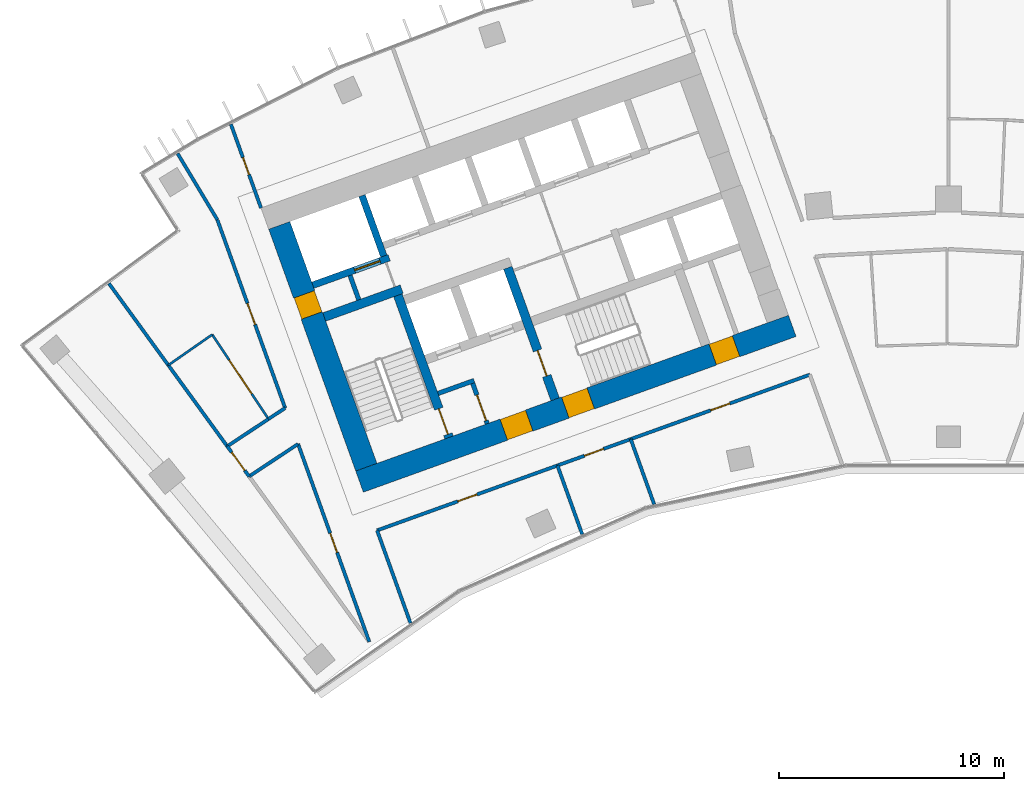
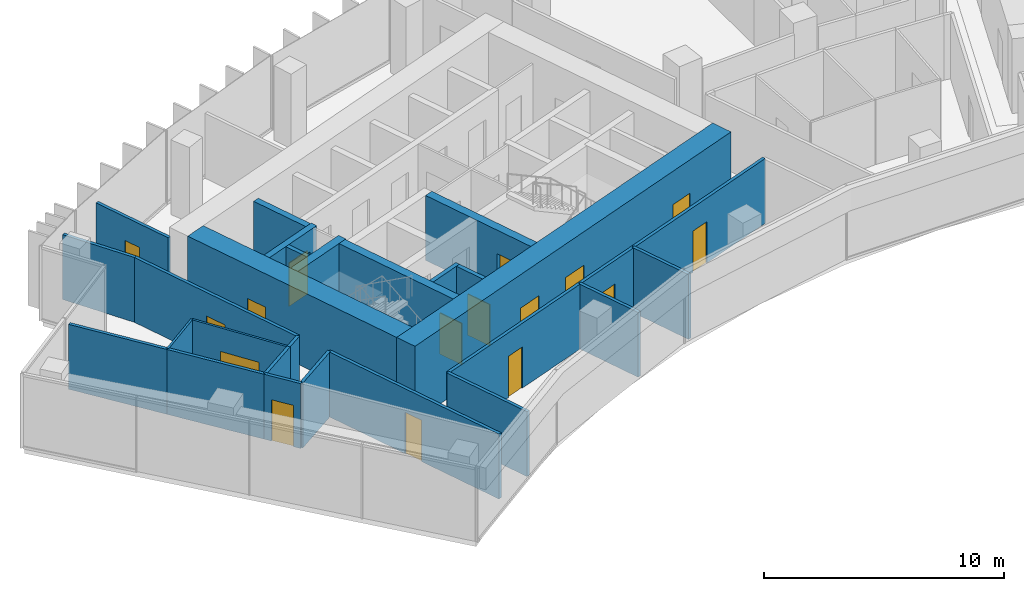
# One storey, part 12 of 19: 28 walls, 16 doors, 16 openings.
"""IFC4 building model written with IfcOpenShell, lengths in metres."""

from ifc_helpers import new_model, si_unit, direction, frame, frame_2d, origin, place, context, subcontext, project, spatial, rectangle, extrude, material, layer, layer_set, type_object, element, fill, save


model = new_model("IFC4")

# Units and contexts
model_context = context("Model", 3, precision=1e-05, world=origin(), true_north=direction((0.0, 1.0)))
body_context = subcontext(model_context, "Body", "Model", "MODEL_VIEW")
ifc_project = project(units=[si_unit("LENGTHUNIT", "METRE"), si_unit("AREAUNIT", "SQUARE_METRE"), si_unit("VOLUMEUNIT", "CUBIC_METRE"), si_unit("PLANEANGLEUNIT", "RADIAN"), si_unit("MASSUNIT", "GRAM", prefix="KILO")], contexts=[model_context])

# Site, building, storey
site_placement = place(None, origin())
site = spatial("IfcSite", under=ifc_project, at=site_placement, CompositionType="ELEMENT")
building_placement = place(site_placement, origin())
building = spatial("IfcBuilding", under=site, at=building_placement, Name="Stone Belt Terrace Tower", CompositionType="ELEMENT")
storey_placement = place(building_placement, frame((0.0, 0.0, 246.60009765625)))
storey = spatial("IfcBuildingStorey", under=building, at=storey_placement, Name="L60", CompositionType="ELEMENT", Elevation=246.60009765625)

# Wall, openings, doors
ifc_material_1 = material(Name="Concrete B60", Category="concrete")
ifc_layer_1 = layer(ifc_material_1, 1.0)
ifc_layer_set_1 = layer_set([ifc_layer_1], Name="Core wall 1000 B60")
wall_type_1 = type_object("IfcWallType", Name="Core wall 1000 B60", PredefinedType="SHEAR", material=ifc_layer_set_1)
wall_1_placement = place(storey_placement, frame((-26.122314453125, 42.462890625, 0.0), z_axis=(0.0, 0.0, 1.0), x_axis=(0.940921428504, 0.338624962727, 0.0)))
wall_1 = element("IfcWall", 1, at=wall_1_placement, inside=storey, type_object=wall_type_1, Name="Core A wall concave L60", PredefinedType="SHEAR", context=body_context, shape_type="SweptSolid", body=[
    extrude(rectangle(XDim=20.400146484375, YDim=1.0, at=frame_2d((10.2001953125, 0.0))), origin(), (0.0, 0.0, 1.0), 3.7998046875),
])
opening_1_placement = place(wall_1_placement, frame((6.800048828125, 0.0, 0.0)))
opening_1 = element("IfcOpeningElement", 2, at=opening_1_placement, cuts=wall_1, Name="Opening L60-C10", PredefinedType="OPENING", context=body_context, shape_type="SweptSolid", body=[
    extrude(rectangle(XDim=1.199951171875, YDim=2.10009765625, at=frame_2d((0.60009765625, 1.050048828125))), frame((0.0, 0.510009765625, 0.0), z_axis=(0.0, -1.0, 0.0), x_axis=(1.0, 0.0, 0.0)), (0.0, 0.0, 1.0), 1.02001953125),
])
opening_2_placement = place(wall_1_placement, frame((9.699951171875, 0.0, 0.0)))
opening_2 = element("IfcOpeningElement", 3, at=opening_2_placement, cuts=wall_1, Name="Opening L60-C12", PredefinedType="OPENING", context=body_context, shape_type="SweptSolid", body=[
    extrude(rectangle(XDim=1.199951171875, YDim=2.10009765625, at=frame_2d((0.60009765625, 1.050048828125))), frame((0.0, 0.510009765625, 0.0), z_axis=(0.0, -1.0, 0.0), x_axis=(1.0, 0.0, 0.0)), (0.0, 0.0, 1.0), 1.02001953125),
])
opening_3_placement = place(wall_1_placement, frame((16.64990234375, 0.0, 0.0)))
opening_3 = element("IfcOpeningElement", 4, at=opening_3_placement, cuts=wall_1, Name="Opening L60-C14", PredefinedType="OPENING", context=body_context, shape_type="SweptSolid", body=[
    extrude(rectangle(XDim=1.10009765625, YDim=2.10009765625, at=frame_2d((0.550048828125, 1.050048828125))), frame((0.0, 0.510009765625, 0.0), z_axis=(0.0, -1.0, 0.0), x_axis=(1.0, 0.0, 0.0)), (0.0, 0.0, 1.0), 1.02001953125),
])
ifc_material_2 = material(Name="Timber door leaf", Category="wood")
door_type_1 = type_object("IfcDoorType", Name="Core room door 1100", OperationType="SINGLE_SWING_LEFT", PredefinedType="DOOR", material=ifc_material_2)
door_1_placement = place(opening_3_placement, origin())
door_1 = element("IfcDoor", 5, at=door_1_placement, inside=storey, type_object=door_type_1, Name="Door to Communications riser room core A", OperationType="SINGLE_SWING_LEFT", OverallHeight=2.10009765625, OverallWidth=1.10009765625, PredefinedType="DOOR", context=body_context, shape_type="SweptSolid", body=[
    extrude(rectangle(XDim=1.10009765625, YDim=2.10009765625, at=frame_2d((0.550048828125, 1.050048828125))), frame((0.0, 0.47998046875, 0.0), z_axis=(0.0, -1.0, 0.0), x_axis=(1.0, 0.0, 0.0)), (0.0, 0.0, 1.0), 0.9599609375),
])
fill(opening_3, door_1)
ifc_material_3 = material(Name="Steel door leaf", Category="steel")
door_type_2 = type_object("IfcDoorType", Name="Fire-fighting lobby door 1200", OperationType="SINGLE_SWING_LEFT", PredefinedType="DOOR", material=ifc_material_3)
door_2_placement = place(opening_1_placement, origin())
door_2 = element("IfcDoor", 6, at=door_2_placement, inside=storey, type_object=door_type_2, Name="Fire-fighting lobby door core A", OperationType="SINGLE_SWING_LEFT", OverallHeight=2.10009765625, OverallWidth=1.199951171875, PredefinedType="DOOR", context=body_context, shape_type="SweptSolid", body=[
    extrude(rectangle(XDim=1.199951171875, YDim=2.10009765625, at=frame_2d((0.60009765625, 1.050048828125))), frame((0.0, 0.47998046875, 0.0), z_axis=(0.0, -1.0, 0.0), x_axis=(1.0, 0.0, 0.0)), (0.0, 0.0, 1.0), 0.9599609375),
])
fill(opening_1, door_2)
door_type_3 = type_object("IfcDoorType", Name="Stair door 1200", OperationType="SINGLE_SWING_LEFT", PredefinedType="DOOR", material=ifc_material_3)
door_3_placement = place(opening_2_placement, origin())
door_3 = element("IfcDoor", 7, at=door_3_placement, inside=storey, type_object=door_type_3, Name="Stair 2 exit door core A", OperationType="SINGLE_SWING_RIGHT", OverallHeight=2.10009765625, OverallWidth=1.199951171875, PredefinedType="DOOR", context=body_context, shape_type="SweptSolid", body=[
    extrude(rectangle(XDim=1.199951171875, YDim=2.10009765625, at=frame_2d((0.60009765625, 1.050048828125))), frame((0.0, 0.47998046875, 0.0), z_axis=(0.0, -1.0, 0.0), x_axis=(1.0, 0.0, 0.0)), (0.0, 0.0, 1.0), 0.9599609375),
])
fill(opening_2, door_3)

# Wall, opening, door
wall_2_placement = place(storey_placement, frame((-25.821044921875, 43.102783203125, 0.0), z_axis=(0.0, 0.0, 1.0), x_axis=(-0.338625431531, 0.940921259788, 0.0)))
wall_2 = element("IfcWall", 8, at=wall_2_placement, inside=storey, type_object=wall_type_1, Name="Core A wall end_a L60", PredefinedType="SHEAR", context=body_context, shape_type="SweptSolid", body=[
    extrude(rectangle(XDim=11.400146484375, YDim=1.0, at=frame_2d((5.7001953125, 0.0))), origin(), (0.0, 0.0, 1.0), 3.7998046875),
])
opening_4_placement = place(wall_2_placement, frame((7.14990234375, 0.0, 0.0)))
opening_4 = element("IfcOpeningElement", 9, at=opening_4_placement, cuts=wall_2, Name="Opening L60-C04", PredefinedType="OPENING", context=body_context, shape_type="SweptSolid", body=[
    extrude(rectangle(XDim=1.0, YDim=2.10009765625, at=frame_2d((0.5, 1.050048828125))), frame((0.0, 0.510009765625, 0.0), z_axis=(0.0, -1.0, 0.0), x_axis=(1.0, 0.0, 0.0)), (0.0, 0.0, 1.0), 1.02001953125),
])
door_type_4 = type_object("IfcDoorType", Name="Core room door 1000", OperationType="SINGLE_SWING_LEFT", PredefinedType="DOOR", material=ifc_material_2)
door_4_placement = place(opening_4_placement, origin())
door_4 = element("IfcDoor", 10, at=door_4_placement, inside=storey, type_object=door_type_4, Name="Door to Telecommunications riser room core A", OperationType="SINGLE_SWING_RIGHT", OverallHeight=2.10009765625, OverallWidth=1.0, PredefinedType="DOOR", context=body_context, shape_type="SweptSolid", body=[
    extrude(rectangle(XDim=1.0, YDim=2.10009765625, at=frame_2d((0.5, 1.050048828125))), frame((0.0, 0.47021484375, 0.0), z_axis=(0.0, -1.0, 0.0), x_axis=(1.0, 0.0, 0.0)), (0.0, 0.0, 1.0), 0.949951171875),
])
fill(opening_4, door_4)

ifc_material_4 = material(Name="Concrete B80", Category="concrete")
ifc_layer_2 = layer(ifc_material_4, 0.300048828125)
ifc_layer_set_2 = layer_set([ifc_layer_2], Name="Lift shaft wall 300")
wall_type_2 = type_object("IfcWallType", Name="Lift shaft wall 300", PredefinedType="SHEAR", material=ifc_layer_set_2)
wall_3_placement = place(storey_placement, frame((-28.195068359375, 51.17578125, 0.0), z_axis=(0.0, 0.0, 1.0), x_axis=(0.940901243567, 0.338681044427, 0.0)))
wall_3 = element("IfcWall", 11, at=wall_3_placement, inside=storey, type_object=wall_type_2, Name="Core A wall", PredefinedType="SHEAR", context=body_context, shape_type="SweptSolid", body=[
    extrude(rectangle(XDim=3.599853515625, YDim=0.300048828125, at=frame_2d((1.7998046875, 0.0))), origin(), (0.0, 0.0, 1.0), 3.2998046875),
])
opening_5_placement = place(wall_3_placement, frame((1.969970703125, 0.0, 0.0)))
opening_5 = element("IfcOpeningElement", 12, at=opening_5_placement, cuts=wall_3, Name="Opening L60-LD08", PredefinedType="OPENING", context=body_context, shape_type="SweptSolid", body=[
    extrude(rectangle(XDim=1.199951171875, YDim=2.199951171875, at=frame_2d((0.60009765625, 1.10009765625))), frame((0.0, 0.159912109375, 0.0), z_axis=(0.0, -1.0, 0.0), x_axis=(1.0, 0.0, 0.0)), (0.0, 0.0, 1.0), 0.320068359375),
])
ifc_material_5 = material(Name="Stainless steel door leaf", Category="steel")
door_type_5 = type_object("IfcDoorType", Name="Landing door 1200", OperationType="SLIDING_TO_LEFT", PredefinedType="DOOR", material=ifc_material_5)
door_5_placement = place(opening_5_placement, origin())
door_5 = element("IfcDoor", 13, at=door_5_placement, inside=storey, type_object=door_type_5, Name="Landing door SV1 core A", OperationType="SLIDING_TO_LEFT", OverallHeight=2.199951171875, OverallWidth=1.199951171875, PredefinedType="DOOR", context=body_context, shape_type="SweptSolid", body=[
    extrude(rectangle(XDim=1.199951171875, YDim=2.199951171875, at=frame_2d((0.60009765625, 1.10009765625))), frame((0.0, 0.02490234375, 0.0), z_axis=(0.0, -1.0, 0.0), x_axis=(1.0, 0.0, 0.0)), (0.0, 0.0, 1.0), 0.050048828125),
])
fill(opening_5, door_5)

# Wall
wall_4_placement = place(storey_placement, frame((-25.046875, 52.46826171875, 0.0), z_axis=(0.0, 0.0, 1.0), x_axis=(-0.338549588058, 0.940948551423, 0.0)))
element("IfcWall", 14, at=wall_4_placement, inside=storey, type_object=wall_type_2, Name="Core A wall", PredefinedType="SHEAR", context=body_context, shape_type="SweptSolid", body=[
    extrude(rectangle(XDim=2.849853515625, YDim=0.300048828125, at=frame_2d((1.4248046875, 0.0))), origin(), (0.0, 0.0, 1.0), 3.2998046875),
])

# Wall, opening, door
ifc_material_6 = material(Name="Gypsum board partition")
ifc_layer_3 = layer(ifc_material_6, 0.10009765625)
ifc_layer_set_3 = layer_set([ifc_layer_3], Name="PARTITION 100")
wall_type_3 = type_object("IfcWallType", Name="PARTITION 100", PredefinedType="PARTITIONING", material=ifc_layer_set_3)
wall_5_placement = place(storey_placement, frame((-30.159912109375, 45.240966796875, 0.0), z_axis=(0.0, 0.0, 1.0), x_axis=(-0.554700196225, 0.832050294338, 0.0)))
wall_5 = element("IfcWall", 15, at=wall_5_placement, inside=storey, type_object=wall_type_3, Name="L60/wall/i042", PredefinedType="PARTITIONING", context=body_context, shape_type="SweptSolid", body=[
    extrude(rectangle(XDim=4.5, YDim=0.10009765625, at=frame_2d((2.25, 0.0))), origin(), (0.0, 0.0, 1.0), 3.2998046875),
])
opening_6_placement = place(wall_5_placement, frame((1.349853515625, 0.0, 0.0)))
opening_6 = element("IfcOpeningElement", 16, at=opening_6_placement, cuts=wall_5, Name="Opening D-D5b-14", PredefinedType="OPENING", context=body_context, shape_type="SweptSolid", body=[
    extrude(rectangle(XDim=1.800048828125, YDim=2.10009765625, at=frame_2d((0.89990234375, 1.050048828125))), frame((0.0, 0.06005859375, 0.0), z_axis=(0.0, -1.0, 0.0), x_axis=(1.0, 0.0, 0.0)), (0.0, 0.0, 1.0), 0.1201171875),
])
door_type_6 = type_object("IfcDoorType", Name="DOUBLE DOOR 1800 X 2100", OperationType="DOUBLE_DOOR_SINGLE_SWING", PredefinedType="DOOR", material=ifc_material_2)
door_6_placement = place(opening_6_placement, origin())
door_6 = element("IfcDoor", 17, at=door_6_placement, inside=storey, type_object=door_type_6, Name="L60/door/i14", OperationType="DOUBLE_DOOR_SINGLE_SWING", OverallHeight=2.10009765625, OverallWidth=1.800048828125, PredefinedType="DOOR", context=body_context, shape_type="SweptSolid", body=[
    extrude(rectangle(XDim=1.800048828125, YDim=2.10009765625, at=frame_2d((0.89990234375, 1.050048828125))), frame((0.0, 0.02490234375, 0.0), z_axis=(0.0, -1.0, 0.0), x_axis=(1.0, 0.0, 0.0)), (0.0, 0.0, 1.0), 0.050048828125),
])
fill(opening_6, door_6)

# Walls
wall_6_placement = place(storey_placement, frame((-32.656005859375, 48.985107421875, 0.0), z_axis=(0.0, 0.0, 1.0), x_axis=(-0.820500477686, -0.571645839762, 0.0)))
element("IfcWall", 18, at=wall_6_placement, inside=storey, type_object=wall_type_3, Name="L60/wall/i043", PredefinedType="PARTITIONING", context=body_context, shape_type="SweptSolid", body=[
    extrude(rectangle(XDim=2.374267578125, YDim=0.10009765625, at=frame_2d((1.18701171875, 0.0))), origin(), (0.0, 0.0, 1.0), 3.2998046875),
])
ifc_layer_4 = layer(ifc_material_6, 0.14990234375)
ifc_layer_set_4 = layer_set([ifc_layer_4], Name="PARTITION 150 EI 60")
wall_type_4 = type_object("IfcWallType", Name="PARTITION 150 EI 60", PredefinedType="PARTITIONING", material=ifc_layer_set_4)
wall_7_placement = place(storey_placement, frame((-25.344970703125, 40.304931640625, 0.0), z_axis=(0.0, 0.0, 1.0), x_axis=(0.338646383094, -0.940913719327, 0.0)))
element("IfcWall", 19, at=wall_7_placement, inside=storey, type_object=wall_type_4, Name="L60/wall/i001", PredefinedType="PARTITIONING", context=body_context, shape_type="SweptSolid", body=[
    extrude(rectangle(XDim=4.376708984375, YDim=0.14990234375, at=frame_2d((2.1884765625, 0.0))), origin(), (0.0, 0.0, 1.0), 3.2998046875),
])

# Wall, opening, door
wall_8_placement = place(storey_placement, frame((-31.826904296875, 58.31298828125, 0.0), z_axis=(0.0, 0.0, 1.0), x_axis=(0.338640575491, -0.940915809534, 0.0)))
wall_8 = element("IfcWall", 20, at=wall_8_placement, inside=storey, type_object=wall_type_4, Name="L60/wall/i002", PredefinedType="PARTITIONING", context=body_context, shape_type="SweptSolid", body=[
    extrude(rectangle(XDim=3.945068359375, YDim=0.14990234375, at=frame_2d((1.97265625, 0.0))), origin(), (0.0, 0.0, 1.0), 3.2998046875),
])
opening_7_placement = place(wall_8_placement, frame((1.572509765625, 0.0, 0.0)))
opening_7 = element("IfcOpeningElement", 21, at=opening_7_placement, cuts=wall_8, Name="Opening D-D5b-04", PredefinedType="OPENING", context=body_context, shape_type="SweptSolid", body=[
    extrude(rectangle(XDim=0.800048828125, YDim=2.10009765625, at=frame_2d((0.39990234375, 1.050048828125))), frame((0.0, 0.0849609375, 0.0), z_axis=(0.0, -1.0, 0.0), x_axis=(1.0, 0.0, 0.0)), (0.0, 0.0, 1.0), 0.169921875),
])
door_type_7 = type_object("IfcDoorType", Name="STORE DOOR 800 X 2100", OperationType="NOTDEFINED", PredefinedType="DOOR", material=ifc_material_2)
door_7_placement = place(opening_7_placement, origin())
door_7 = element("IfcDoor", 22, at=door_7_placement, inside=storey, type_object=door_type_7, Name="L60/door/i04", OperationType="SINGLE_SWING_LEFT", OverallHeight=2.10009765625, OverallWidth=0.800048828125, PredefinedType="DOOR", context=body_context, shape_type="SweptSolid", body=[
    extrude(rectangle(XDim=0.800048828125, YDim=2.10009765625, at=frame_2d((0.39990234375, 1.050048828125))), frame((0.0, 0.02490234375, 0.0), z_axis=(0.0, -1.0, 0.0), x_axis=(1.0, 0.0, 0.0)), (0.0, 0.0, 1.0), 0.050048828125),
])
fill(opening_7, door_7)

wall_9_placement = place(storey_placement, frame((-25.69091796875, 35.35791015625, 0.0), z_axis=(0.0, 0.0, 1.0), x_axis=(-0.338657394617, 0.940909756072, 0.0)))
wall_9 = element("IfcWall", 23, at=wall_9_placement, inside=storey, type_object=wall_type_4, Name="L60/wall/i003", PredefinedType="PARTITIONING", context=body_context, shape_type="SweptSolid", body=[
    extrude(rectangle(XDim=9.33154296875, YDim=0.14990234375, at=frame_2d((4.665771484375, 0.0))), origin(), (0.0, 0.0, 1.0), 3.2998046875),
])
opening_8_placement = place(wall_9_placement, frame((4.215576171875, 0.0, 0.0)))
opening_8 = element("IfcOpeningElement", 24, at=opening_8_placement, cuts=wall_9, Name="Opening D-D5b-12", PredefinedType="OPENING", context=body_context, shape_type="SweptSolid", body=[
    extrude(rectangle(XDim=0.89990234375, YDim=2.10009765625, at=frame_2d((0.449951171875, 1.050048828125))), frame((0.0, 0.0849609375, 0.0), z_axis=(0.0, -1.0, 0.0), x_axis=(1.0, 0.0, 0.0)), (0.0, 0.0, 1.0), 0.169921875),
])
door_type_8 = type_object("IfcDoorType", Name="OFFICE DOOR 900 X 2100", OperationType="NOTDEFINED", PredefinedType="DOOR", material=ifc_material_2)
door_8_placement = place(opening_8_placement, origin())
door_8 = element("IfcDoor", 25, at=door_8_placement, inside=storey, type_object=door_type_8, Name="L60/door/i12", OperationType="SINGLE_SWING_RIGHT", OverallHeight=2.10009765625, OverallWidth=0.89990234375, PredefinedType="DOOR", context=body_context, shape_type="SweptSolid", body=[
    extrude(rectangle(XDim=0.89990234375, YDim=2.10009765625, at=frame_2d((0.449951171875, 1.050048828125))), frame((0.0, 0.02490234375, 0.0), z_axis=(0.0, -1.0, 0.0), x_axis=(1.0, 0.0, 0.0)), (0.0, 0.0, 1.0), 0.050048828125),
])
fill(opening_8, door_8)

wall_10_placement = place(storey_placement, frame((-29.4208984375, 45.721923828125, 0.0), z_axis=(0.0, 0.0, 1.0), x_axis=(-0.338710707115, 0.94089056584, 0.0)))
wall_10 = element("IfcWall", 26, at=wall_10_placement, inside=storey, type_object=wall_type_4, Name="L60/wall/i004", PredefinedType="PARTITIONING", context=body_context, shape_type="SweptSolid", body=[
    extrude(rectangle(XDim=8.880859375, YDim=0.14990234375, at=frame_2d((4.4404296875, 0.0))), origin(), (0.0, 0.0, 1.0), 3.2998046875),
])
opening_9_placement = place(wall_10_placement, frame((3.9404296875, 0.0, 0.0)))
opening_9 = element("IfcOpeningElement", 27, at=opening_9_placement, cuts=wall_10, Name="Opening D-D5b-13", PredefinedType="OPENING", context=body_context, shape_type="SweptSolid", body=[
    extrude(rectangle(XDim=1.0, YDim=2.10009765625, at=frame_2d((0.5, 1.050048828125))), frame((0.0, 0.0849609375, 0.0), z_axis=(0.0, -1.0, 0.0), x_axis=(1.0, 0.0, 0.0)), (0.0, 0.0, 1.0), 0.169921875),
])
ifc_material_7 = material(Name="Timber fire door leaf", Category="wood")
door_type_9 = type_object("IfcDoorType", Name="TENANCY ENTRANCE DOOR 1000 X 2100", OperationType="NOTDEFINED", PredefinedType="DOOR", material=ifc_material_7)
door_9_placement = place(opening_9_placement, origin())
door_9 = element("IfcDoor", 28, at=door_9_placement, inside=storey, type_object=door_type_9, Name="L60/door/i13", OperationType="SINGLE_SWING_RIGHT", OverallHeight=2.10009765625, OverallWidth=1.0, PredefinedType="DOOR", context=body_context, shape_type="SweptSolid", body=[
    extrude(rectangle(XDim=1.0, YDim=2.10009765625, at=frame_2d((0.5, 1.050048828125))), frame((0.0, 0.02490234375, 0.0), z_axis=(0.0, -1.0, 0.0), x_axis=(1.0, 0.0, 0.0)), (0.0, 0.0, 1.0), 0.050048828125),
])
fill(opening_9, door_9)

# Wall
wall_11_placement = place(storey_placement, frame((-32.428955078125, 54.077880859375, 0.0), z_axis=(0.0, 0.0, 1.0), x_axis=(-0.514254922229, 0.857637379644, 0.0)))
element("IfcWall", 29, at=wall_11_placement, inside=storey, type_object=wall_type_4, Name="L60/wall/i005", PredefinedType="PARTITIONING", context=body_context, shape_type="SweptSolid", body=[
    extrude(rectangle(XDim=3.42919921875, YDim=0.14990234375, at=frame_2d((1.714599609375, 0.0))), origin(), (0.0, 0.0, 1.0), 3.2998046875),
])

# Wall, opening, door
wall_12_placement = place(storey_placement, frame((-17.337890625, 43.179931640625, 0.0), z_axis=(0.0, 0.0, 1.0), x_axis=(-0.940924353827, -0.338616834157, 0.0)))
wall_12 = element("IfcWall", 30, at=wall_12_placement, inside=storey, type_object=wall_type_4, Name="L60/wall/i011", PredefinedType="PARTITIONING", context=body_context, shape_type="SweptSolid", body=[
    extrude(rectangle(XDim=8.5078125, YDim=0.14990234375, at=frame_2d((4.25390625, 0.0))), origin(), (0.0, 0.0, 1.0), 3.2998046875),
])
opening_10_placement = place(wall_12_placement, frame((3.8037109375, 0.0, 0.0)))
opening_10 = element("IfcOpeningElement", 31, at=opening_10_placement, cuts=wall_12, Name="Opening D-D5b-01", PredefinedType="OPENING", context=body_context, shape_type="SweptSolid", body=[
    extrude(rectangle(XDim=0.89990234375, YDim=2.10009765625, at=frame_2d((0.449951171875, 1.050048828125))), frame((0.0, 0.0849609375, 0.0), z_axis=(0.0, -1.0, 0.0), x_axis=(1.0, 0.0, 0.0)), (0.0, 0.0, 1.0), 0.169921875),
])
door_10_placement = place(opening_10_placement, origin())
door_10 = element("IfcDoor", 32, at=door_10_placement, inside=storey, type_object=door_type_8, Name="L60/door/i01", OperationType="SINGLE_SWING_RIGHT", OverallHeight=2.10009765625, OverallWidth=0.89990234375, PredefinedType="DOOR", context=body_context, shape_type="SweptSolid", body=[
    extrude(rectangle(XDim=0.89990234375, YDim=2.10009765625, at=frame_2d((0.449951171875, 1.050048828125))), frame((0.0, 0.02490234375, 0.0), z_axis=(0.0, -1.0, 0.0), x_axis=(1.0, 0.0, 0.0)), (0.0, 0.0, 1.0), 0.050048828125),
])
fill(opening_10, door_10)

wall_13_placement = place(storey_placement, frame((-14.087890625, 44.35009765625, 0.0), z_axis=(0.0, 0.0, 1.0), x_axis=(-0.940917031446, -0.338637180379, 0.0)))
wall_13 = element("IfcWall", 33, at=wall_13_placement, inside=storey, type_object=wall_type_4, Name="L60/wall/i012", PredefinedType="PARTITIONING", context=body_context, shape_type="SweptSolid", body=[
    extrude(rectangle(XDim=3.467041015625, YDim=0.14990234375, at=frame_2d((1.7333984375, 0.0))), origin(), (0.0, 0.0, 1.0), 3.2998046875),
])
opening_11_placement = place(wall_13_placement, frame((1.283447265625, 0.0, 0.0)))
opening_11 = element("IfcOpeningElement", 34, at=opening_11_placement, cuts=wall_13, Name="Opening D-D5b-02", PredefinedType="OPENING", context=body_context, shape_type="SweptSolid", body=[
    extrude(rectangle(XDim=0.89990234375, YDim=2.10009765625, at=frame_2d((0.449951171875, 1.050048828125))), frame((0.0, 0.0849609375, 0.0), z_axis=(0.0, -1.0, 0.0), x_axis=(1.0, 0.0, 0.0)), (0.0, 0.0, 1.0), 0.169921875),
])
door_11_placement = place(opening_11_placement, origin())
door_11 = element("IfcDoor", 35, at=door_11_placement, inside=storey, type_object=door_type_8, Name="L60/door/i02", OperationType="SINGLE_SWING_RIGHT", OverallHeight=2.10009765625, OverallWidth=0.89990234375, PredefinedType="DOOR", context=body_context, shape_type="SweptSolid", body=[
    extrude(rectangle(XDim=0.89990234375, YDim=2.10009765625, at=frame_2d((0.449951171875, 1.050048828125))), frame((0.0, 0.02490234375, 0.0), z_axis=(0.0, -1.0, 0.0), x_axis=(1.0, 0.0, 0.0)), (0.0, 0.0, 1.0), 0.050048828125),
])
fill(opening_11, door_11)

wall_14_placement = place(storey_placement, frame((-6.14892578125, 47.20703125, 0.0), z_axis=(0.0, 0.0, 1.0), x_axis=(-0.94093785922, -0.338579303985, 0.0)))
wall_14 = element("IfcWall", 36, at=wall_14_placement, inside=storey, type_object=wall_type_4, Name="L60/wall/i013", PredefinedType="PARTITIONING", context=body_context, shape_type="SweptSolid", body=[
    extrude(rectangle(XDim=8.4501953125, YDim=0.14990234375, at=frame_2d((4.22509765625, 0.0))), origin(), (0.0, 0.0, 1.0), 3.2998046875),
])
opening_12_placement = place(wall_14_placement, frame((3.775146484375, 0.0, 0.0)))
opening_12 = element("IfcOpeningElement", 37, at=opening_12_placement, cuts=wall_14, Name="Opening D-D5b-03", PredefinedType="OPENING", context=body_context, shape_type="SweptSolid", body=[
    extrude(rectangle(XDim=0.89990234375, YDim=2.10009765625, at=frame_2d((0.449951171875, 1.050048828125))), frame((0.0, 0.0849609375, 0.0), z_axis=(0.0, -1.0, 0.0), x_axis=(1.0, 0.0, 0.0)), (0.0, 0.0, 1.0), 0.169921875),
])
door_12_placement = place(opening_12_placement, origin())
door_12 = element("IfcDoor", 38, at=door_12_placement, inside=storey, type_object=door_type_8, Name="L60/door/i03", OperationType="SINGLE_SWING_RIGHT", OverallHeight=2.10009765625, OverallWidth=0.89990234375, PredefinedType="DOOR", context=body_context, shape_type="SweptSolid", body=[
    extrude(rectangle(XDim=0.89990234375, YDim=2.10009765625, at=frame_2d((0.449951171875, 1.050048828125))), frame((0.0, 0.02490234375, 0.0), z_axis=(0.0, -1.0, 0.0), x_axis=(1.0, 0.0, 0.0)), (0.0, 0.0, 1.0), 0.050048828125),
])
fill(opening_12, door_12)

# Walls
wall_15_placement = place(storey_placement, frame((-17.343994140625, 43.177978515625, 0.0), z_axis=(0.0, 0.0, 1.0), x_axis=(0.338631589887, -0.940919043452, 0.0)))
element("IfcWall", 39, at=wall_15_placement, inside=storey, type_object=wall_type_4, Name="L60/wall/i014", PredefinedType="PARTITIONING", context=body_context, shape_type="SweptSolid", body=[
    extrude(rectangle(XDim=3.24658203125, YDim=0.14990234375, at=frame_2d((1.623291015625, 0.0))), origin(), (0.0, 0.0, 1.0), 3.2998046875),
])
wall_16_placement = place(storey_placement, frame((-14.093994140625, 44.347900390625, 0.0), z_axis=(0.0, 0.0, 1.0), x_axis=(0.3387588166, -0.940873245542, 0.0)))
element("IfcWall", 40, at=wall_16_placement, inside=storey, type_object=wall_type_4, Name="L60/wall/i015", PredefinedType="PARTITIONING", context=body_context, shape_type="SweptSolid", body=[
    extrude(rectangle(XDim=3.075927734375, YDim=0.14990234375, at=frame_2d((1.5380859375, 0.0))), origin(), (0.0, 0.0, 1.0), 3.2998046875),
])

# Wall, opening, door
wall_17_placement = place(storey_placement, frame((-31.01708984375, 42.69091796875, 0.0), z_axis=(0.0, 0.0, 1.0), x_axis=(-0.5879182917, 0.808920318872, 0.0)))
wall_17 = element("IfcWall", 41, at=wall_17_placement, inside=storey, type_object=wall_type_4, Name="L60/wall/i035", PredefinedType="PARTITIONING", context=body_context, shape_type="SweptSolid", body=[
    extrude(rectangle(XDim=1.661376953125, YDim=0.14990234375, at=frame_2d((0.83056640625, 0.0))), origin(), (0.0, 0.0, 1.0), 3.2998046875),
])
opening_13_placement = place(wall_17_placement, frame((0.330810546875, 0.0, 0.0)))
opening_13 = element("IfcOpeningElement", 42, at=opening_13_placement, cuts=wall_17, Name="Opening D-D5b-11", PredefinedType="OPENING", context=body_context, shape_type="SweptSolid", body=[
    extrude(rectangle(XDim=1.0, YDim=2.10009765625, at=frame_2d((0.5, 1.050048828125))), frame((0.0, 0.0849609375, 0.0), z_axis=(0.0, -1.0, 0.0), x_axis=(1.0, 0.0, 0.0)), (0.0, 0.0, 1.0), 0.169921875),
])
door_13_placement = place(opening_13_placement, origin())
door_13 = element("IfcDoor", 43, at=door_13_placement, inside=storey, type_object=door_type_9, Name="L60/door/i11", OperationType="SINGLE_SWING_RIGHT", OverallHeight=2.10009765625, OverallWidth=1.0, PredefinedType="DOOR", context=body_context, shape_type="SweptSolid", body=[
    extrude(rectangle(XDim=1.0, YDim=2.10009765625, at=frame_2d((0.5, 1.050048828125))), frame((0.0, 0.02490234375, 0.0), z_axis=(0.0, -1.0, 0.0), x_axis=(1.0, 0.0, 0.0)), (0.0, 0.0, 1.0), 0.050048828125),
])
fill(opening_13, door_13)

# Walls
wall_18_placement = place(storey_placement, frame((-37.23974609375, 51.255859375, 0.0), z_axis=(0.0, 0.0, 1.0), x_axis=(0.587680160702, -0.809093337457, 0.0)))
element("IfcWall", 44, at=wall_18_placement, inside=storey, type_object=wall_type_4, Name="L60/wall/i037", PredefinedType="PARTITIONING", context=body_context, shape_type="SweptSolid", body=[
    extrude(rectangle(XDim=4.489990234375, YDim=0.14990234375, at=frame_2d((2.2451171875, 0.0))), origin(), (0.0, 0.0, 1.0), 3.2998046875),
])
wall_19_placement = place(storey_placement, frame((-34.60693359375, 47.633056640625, 0.0), z_axis=(0.0, 0.0, 1.0), x_axis=(0.587653851754, -0.809112446153, 0.0)))
element("IfcWall", 45, at=wall_19_placement, inside=storey, type_object=wall_type_4, Name="L60/wall/i038", PredefinedType="PARTITIONING", context=body_context, shape_type="SweptSolid", body=[
    extrude(rectangle(XDim=4.458251953125, YDim=0.14990234375, at=frame_2d((2.22900390625, 0.0))), origin(), (0.0, 0.0, 1.0), 3.2998046875),
])
wall_20_placement = place(storey_placement, frame((-28.84912109375, 44.132080078125, 0.0), z_axis=(0.0, 0.0, 1.0), x_axis=(-0.834036299229, -0.551709571757, 0.0)))
element("IfcWall", 46, at=wall_20_placement, inside=storey, type_object=wall_type_4, Name="L60/wall/i039", PredefinedType="PARTITIONING", context=body_context, shape_type="SweptSolid", body=[
    extrude(rectangle(XDim=2.602783203125, YDim=0.14990234375, at=frame_2d((1.30126953125, 0.0))), origin(), (0.0, 0.0, 1.0), 3.2998046875),
])
wall_21_placement = place(storey_placement, frame((-30.1650390625, 45.238037109375, 0.0), z_axis=(0.0, 0.0, 1.0), x_axis=(0.834450315491, 0.551083179727, 0.0)))
element("IfcWall", 47, at=wall_21_placement, inside=storey, type_object=wall_type_4, Name="L60/wall/i040", PredefinedType="PARTITIONING", context=body_context, shape_type="SweptSolid", body=[
    extrude(rectangle(XDim=0.88916015625, YDim=0.14990234375, at=frame_2d((0.444580078125, 0.0))), origin(), (0.0, 0.0, 1.0), 3.2998046875),
])
wall_22_placement = place(storey_placement, frame((-31.989990234375, 44.031005859375, 0.0), z_axis=(0.0, 0.0, 1.0), x_axis=(0.834229559366, 0.551417303211, 0.0)))
element("IfcWall", 48, at=wall_22_placement, inside=storey, type_object=wall_type_4, Name="L60/wall/i041", PredefinedType="PARTITIONING", context=body_context, shape_type="SweptSolid", body=[
    extrude(rectangle(XDim=2.19970703125, YDim=0.14990234375, at=frame_2d((1.099853515625, 0.0))), origin(), (0.0, 0.0, 1.0), 3.2998046875),
])
ifc_material_8 = material(Name="Concrete masonry block", Category="masonry")
ifc_layer_5 = layer(ifc_material_8, 0.199951171875)
ifc_layer_set_5 = layer_set([ifc_layer_5], Name="Rated lobby wall 200")
wall_type_5 = type_object("IfcWallType", Name="Rated lobby wall 200", PredefinedType="PARTITIONING", material=ifc_layer_set_5)
wall_23_placement = place(storey_placement, frame((-26.1552734375, 50.5283203125, 0.0), z_axis=(0.0, 0.0, 1.0), x_axis=(-0.338621735342, 0.94092258999, 0.0)))
element("IfcWall", 49, at=wall_23_placement, inside=storey, type_object=wall_type_5, Name="Core A wall", PredefinedType="PARTITIONING", context=body_context, shape_type="SweptSolid", body=[
    extrude(rectangle(XDim=1.14990234375, YDim=0.199951171875, at=frame_2d((0.574951171875, 0.0))), origin(), (0.0, 0.0, 1.0), 3.2998046875),
])
wall_24_placement = place(storey_placement, frame((-22.640625, 46.373046875, 0.0), z_axis=(0.0, 0.0, 1.0), x_axis=(0.940966110313, 0.338500781747, 0.0)))
element("IfcWall", 50, at=wall_24_placement, inside=storey, type_object=wall_type_5, Name="Core A wall", PredefinedType="PARTITIONING", context=body_context, shape_type="SweptSolid", body=[
    extrude(rectangle(XDim=1.699951171875, YDim=0.199951171875, at=frame_2d((0.85009765625, 0.0))), origin(), (0.0, 0.0, 1.0), 3.2998046875),
])

# Wall, opening, door
wall_25_placement = place(storey_placement, frame((-20.4580078125, 45.032958984375, 0.0), z_axis=(0.0, 0.0, 1.0), x_axis=(-0.338573865316, 0.940939816208, 0.0)))
wall_25 = element("IfcWall", 51, at=wall_25_placement, inside=storey, type_object=wall_type_5, Name="Core A wall", PredefinedType="PARTITIONING", context=body_context, shape_type="SweptSolid", body=[
    extrude(rectangle(XDim=1.900146484375, YDim=0.199951171875, at=frame_2d((0.9501953125, 0.0))), origin(), (0.0, 0.0, 1.0), 3.2998046875),
])
opening_14_placement = place(wall_25_placement, frame((0.14990234375, 0.0, 0.0)))
opening_14 = element("IfcOpeningElement", 52, at=opening_14_placement, cuts=wall_25, Name="Opening L60-C09", PredefinedType="OPENING", context=body_context, shape_type="SweptSolid", body=[
    extrude(rectangle(XDim=1.199951171875, YDim=2.10009765625, at=frame_2d((0.60009765625, 1.050048828125))), frame((0.0, 0.10986328125, 0.0), z_axis=(0.0, -1.0, 0.0), x_axis=(1.0, 0.0, 0.0)), (0.0, 0.0, 1.0), 0.219970703125),
])
door_14_placement = place(opening_14_placement, origin())
door_14 = element("IfcDoor", 53, at=door_14_placement, inside=storey, type_object=door_type_3, Name="Stair airlock door core A", OperationType="SINGLE_SWING_LEFT", OverallHeight=2.10009765625, OverallWidth=1.199951171875, PredefinedType="DOOR", context=body_context, shape_type="SweptSolid", body=[
    extrude(rectangle(XDim=1.199951171875, YDim=2.10009765625, at=frame_2d((0.60009765625, 1.050048828125))), frame((0.0, 0.02490234375, 0.0), z_axis=(0.0, -1.0, 0.0), x_axis=(1.0, 0.0, 0.0)), (0.0, 0.0, 1.0), 0.050048828125),
])
fill(opening_14, door_14)

# Wall
ifc_layer_6 = layer(ifc_material_4, 0.39990234375)
ifc_layer_set_6 = layer_set([ifc_layer_6], Name="Stair enclosure wall 400")
wall_type_6 = type_object("IfcWallType", Name="Stair enclosure wall 400", PredefinedType="SHEAR", material=ifc_layer_set_6)
wall_26_placement = place(storey_placement, frame((-27.687255859375, 49.764404296875, 0.0), z_axis=(0.0, 0.0, 1.0), x_axis=(0.940918954884, 0.338631835981, 0.0)))
element("IfcWall", 54, at=wall_26_placement, inside=storey, type_object=wall_type_6, Name="Core A wall", PredefinedType="SHEAR", context=body_context, shape_type="SweptSolid", body=[
    extrude(rectangle(XDim=3.650146484375, YDim=0.39990234375, at=frame_2d((1.8251953125, 0.0))), origin(), (0.0, 0.0, 1.0), 3.2998046875),
])

# Wall, opening, door
wall_27_placement = place(storey_placement, frame((-22.151611328125, 44.42333984375, 0.0), z_axis=(0.0, 0.0, 1.0), x_axis=(-0.338625272931, 0.940921316866, 0.0)))
wall_27 = element("IfcWall", 55, at=wall_27_placement, inside=storey, type_object=wall_type_6, Name="Core A wall", PredefinedType="SHEAR", context=body_context, shape_type="SweptSolid", body=[
    extrude(rectangle(XDim=6.699951171875, YDim=0.39990234375, at=frame_2d((3.35009765625, 0.0))), origin(), (0.0, 0.0, 1.0), 3.2998046875),
])
opening_15_placement = place(wall_27_placement, frame((0.14990234375, 0.0, 0.0)))
opening_15 = element("IfcOpeningElement", 56, at=opening_15_placement, cuts=wall_27, Name="Opening L60-C08", PredefinedType="OPENING", context=body_context, shape_type="SweptSolid", body=[
    extrude(rectangle(XDim=1.199951171875, YDim=2.10009765625, at=frame_2d((0.60009765625, 1.050048828125))), frame((0.0, 0.2099609375, 0.0), z_axis=(0.0, -1.0, 0.0), x_axis=(1.0, 0.0, 0.0)), (0.0, 0.0, 1.0), 0.419921875),
])
door_15_placement = place(opening_15_placement, origin())
door_15 = element("IfcDoor", 57, at=door_15_placement, inside=storey, type_object=door_type_3, Name="Stair 1 door core A", OperationType="SINGLE_SWING_LEFT", OverallHeight=2.10009765625, OverallWidth=1.199951171875, PredefinedType="DOOR", context=body_context, shape_type="SweptSolid", body=[
    extrude(rectangle(XDim=1.199951171875, YDim=2.10009765625, at=frame_2d((0.60009765625, 1.050048828125))), frame((0.0, 0.02490234375, 0.0), z_axis=(0.0, -1.0, 0.0), x_axis=(1.0, 0.0, 0.0)), (0.0, 0.0, 1.0), 0.050048828125),
])
fill(opening_15, door_15)

wall_28_placement = place(storey_placement, frame((-17.447021484375, 46.116455078125, 0.0), z_axis=(0.0, 0.0, 1.0), x_axis=(-0.33860791464, 0.940927563707, 0.0)))
wall_28 = element("IfcWall", 58, at=wall_28_placement, inside=storey, type_object=wall_type_6, Name="Core A wall", PredefinedType="SHEAR", context=body_context, shape_type="SweptSolid", body=[
    extrude(rectangle(XDim=6.199951171875, YDim=0.39990234375, at=frame_2d((3.10009765625, 0.0))), origin(), (0.0, 0.0, 1.0), 3.2998046875),
])
opening_16_placement = place(wall_28_placement, frame((1.10009765625, 0.0, 0.0)))
opening_16 = element("IfcOpeningElement", 59, at=opening_16_placement, cuts=wall_28, Name="Opening L60-C11", PredefinedType="OPENING", context=body_context, shape_type="SweptSolid", body=[
    extrude(rectangle(XDim=1.199951171875, YDim=2.10009765625, at=frame_2d((0.60009765625, 1.050048828125))), frame((0.0, 0.2099609375, 0.0), z_axis=(0.0, -1.0, 0.0), x_axis=(1.0, 0.0, 0.0)), (0.0, 0.0, 1.0), 0.419921875),
])
door_16_placement = place(opening_16_placement, origin())
door_16 = element("IfcDoor", 60, at=door_16_placement, inside=storey, type_object=door_type_3, Name="Stair 2 door core A", OperationType="SINGLE_SWING_LEFT", OverallHeight=2.10009765625, OverallWidth=1.199951171875, PredefinedType="DOOR", context=body_context, shape_type="SweptSolid", body=[
    extrude(rectangle(XDim=1.199951171875, YDim=2.10009765625, at=frame_2d((0.60009765625, 1.050048828125))), frame((0.0, 0.02490234375, 0.0), z_axis=(0.0, -1.0, 0.0), x_axis=(1.0, 0.0, 0.0)), (0.0, 0.0, 1.0), 0.050048828125),
])
fill(opening_16, door_16)

save(model, "model.ifc")
